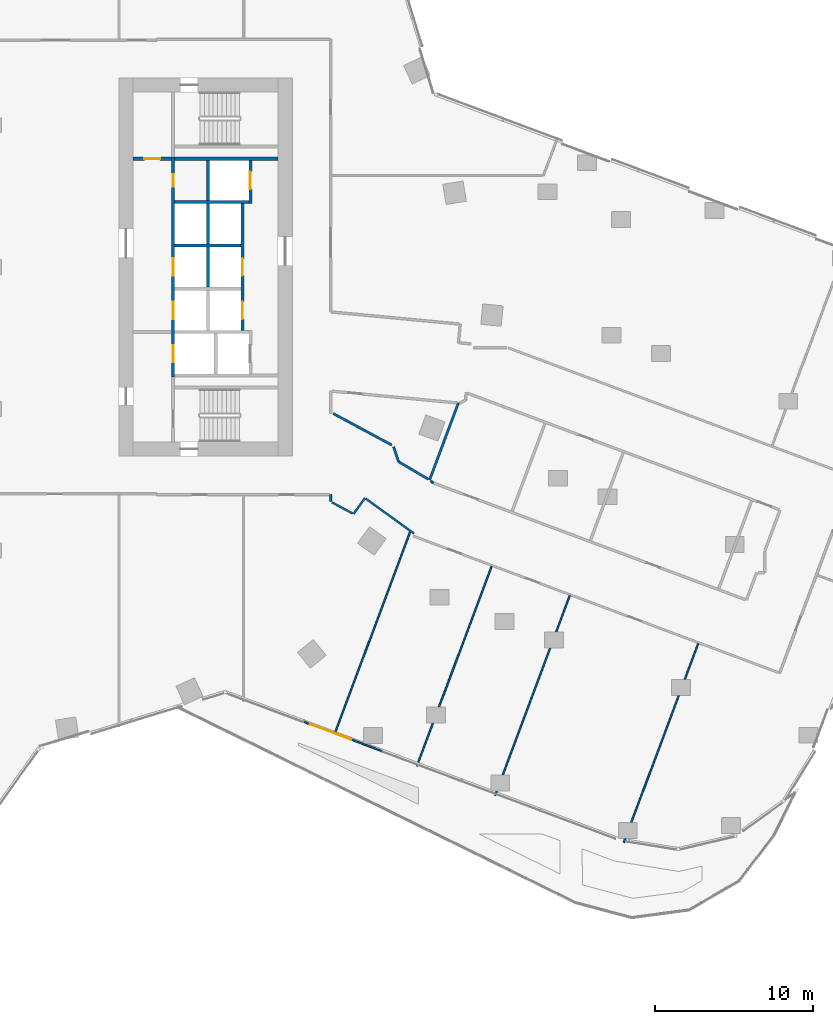
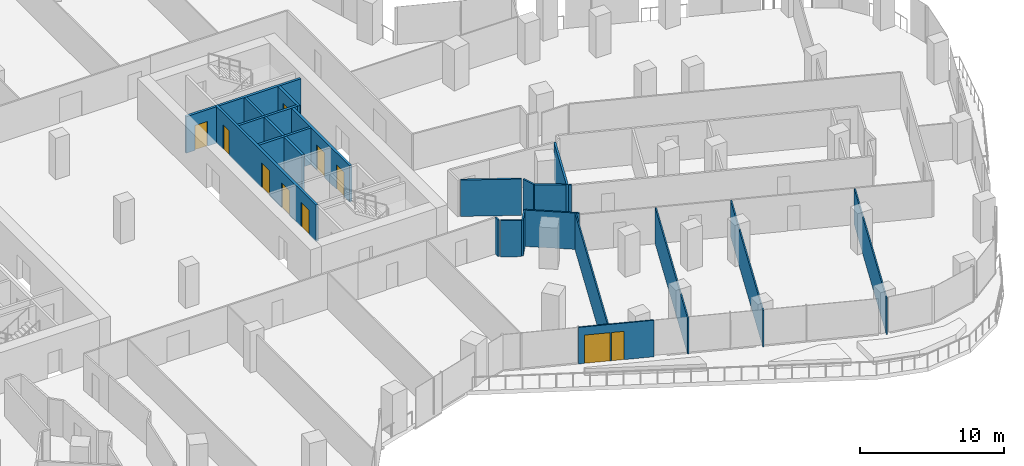
# One storey, part 24 of 30: 24 walls, 9 doors, 1 window, 10 openings.
"""IFC4 building model written with IfcOpenShell, lengths in metres."""

from ifc_helpers import new_model, si_unit, direction, frame, frame_2d, origin, place, context, subcontext, project, spatial, rectangle, extrude, material, layer, layer_set, type_object, element, fill, save


model = new_model("IFC4")

# Units and contexts
model_context = context("Model", 3, precision=1e-05, world=origin(), true_north=direction((0.0, 1.0)))
body_context = subcontext(model_context, "Body", "Model", "MODEL_VIEW")
ifc_project = project(units=[si_unit("LENGTHUNIT", "METRE"), si_unit("AREAUNIT", "SQUARE_METRE"), si_unit("VOLUMEUNIT", "CUBIC_METRE"), si_unit("PLANEANGLEUNIT", "RADIAN"), si_unit("MASSUNIT", "GRAM", prefix="KILO")], contexts=[model_context])

# Site, building, storey
site_placement = place(None, origin())
site = spatial("IfcSite", under=ifc_project, at=site_placement, CompositionType="ELEMENT")
building_placement = place(site_placement, origin())
building = spatial("IfcBuilding", under=site, at=building_placement, Name="Orlundy Tower", CompositionType="ELEMENT")
storey_placement = place(building_placement, frame((0.0, 0.0, 80.699951171875)))
storey = spatial("IfcBuildingStorey", under=building, at=storey_placement, Name="L19", CompositionType="ELEMENT", Elevation=80.699951171875)

# Walls
ifc_material_1 = material(Name="Gypsum board partition")
ifc_layer_1 = layer(ifc_material_1, 0.10009765625)
ifc_layer_set_1 = layer_set([ifc_layer_1], Name="Floor partition 100")
wall_type_1 = type_object("IfcWallType", Name="Floor partition 100", PredefinedType="PARTITIONING", material=ifc_layer_set_1)
wall_1_placement = place(storey_placement, frame((40.0419921875, -36.531982421875, 0.0), z_axis=(0.0, 0.0, 1.0), x_axis=(0.350242156922, 0.936659186425, 0.0)))
element("IfcWall", 1, at=wall_1_placement, inside=storey, type_object=wall_type_1, Name="wall-int-L19-071", PredefinedType="PARTITIONING", context=body_context, shape_type="SweptSolid", body=[
    extrude(rectangle(XDim=13.48193359375, YDim=0.10009765625, at=frame_2d((6.740966796875, 0.0))), origin(), (0.0, 0.0, 1.0), 3.080078125),
])
for number, where, z_axis, x_axis, name in (
    (2, (31.8740234375, -33.535888671875, 0.0), (0.0, 0.0, 1.0), (0.350176475244, 0.936683743953, 0.0), "wall-int-L19-074"),
    (3, (26.909912109375, -31.679931640625, 0.0), (0.0, 0.0, 1.0), (0.350176475244, 0.936683743953, 0.0), "wall-int-L19-076"),
):
    element("IfcWall", number, at=place(storey_placement, frame(where, z_axis=z_axis, x_axis=x_axis)), inside=storey, type_object=wall_type_1, Name=name, PredefinedType="PARTITIONING", context=body_context, shape_type="SweptSolid", body=[
        extrude(rectangle(XDim=13.535888671875, YDim=0.10009765625, at=frame_2d((6.76806640625, 0.0))), origin(), (0.0, 0.0, 1.0), 3.080078125),
    ])
wall_2_placement = place(storey_placement, frame((21.735107421875, -29.510986328125, 0.0), z_axis=(0.0, 0.0, 1.0), x_axis=(0.350202491623, 0.936674017394, 0.0)))
element("IfcWall", 4, at=wall_2_placement, inside=storey, type_object=wall_type_1, Name="wall-int-L19-078", PredefinedType="PARTITIONING", context=body_context, shape_type="SweptSolid", body=[
    extrude(rectangle(XDim=13.54052734375, YDim=0.10009765625, at=frame_2d((6.770263671875, 0.0))), origin(), (0.0, 0.0, 1.0), 3.080078125),
])
ifc_material_2 = material(Name="Gypsum board partition, double layer")
ifc_layer_2 = layer(ifc_material_2, 0.125)
ifc_layer_set_2 = layer_set([ifc_layer_2], Name="Floor partition 125")
wall_type_2 = type_object("IfcWallType", Name="Floor partition 125", PredefinedType="PARTITIONING", material=ifc_layer_set_2)
wall_3_placement = place(storey_placement, frame((27.7939453125, -13.577880859375, 0.0), z_axis=(0.0, 0.0, 1.0), x_axis=(0.778431743949, -0.627729256935, 0.0)))
element("IfcWall", 5, at=wall_3_placement, inside=storey, type_object=wall_type_2, Name="wall-int-L19-006", PredefinedType="PARTITIONING", context=body_context, shape_type="SweptSolid", body=[
    extrude(rectangle(XDim=0.205810546875, YDim=0.125, at=frame_2d((0.10302734375, 0.0))), origin(), (0.0, 0.0, 1.0), 3.080078125),
])
wall_4_placement = place(storey_placement, frame((23.666015625, -14.701904296875, 0.0), z_axis=(0.0, 0.0, 1.0), x_axis=(0.810481264218, -0.585764560512, 0.0)))
element("IfcWall", 6, at=wall_4_placement, inside=storey, type_object=wall_type_2, Name="wall-int-L19-008", PredefinedType="PARTITIONING", context=body_context, shape_type="SweptSolid", body=[
    extrude(rectangle(XDim=3.773193359375, YDim=0.125, at=frame_2d((1.88671875, 0.0))), origin(), (0.0, 0.0, 1.0), 3.080078125),
])
wall_5_placement = place(storey_placement, frame((21.528076171875, -14.93994140625, 0.0), z_axis=(0.0, 0.0, 1.0), x_axis=(0.880465806507, -0.474109653532, 0.0)))
element("IfcWall", 7, at=wall_5_placement, inside=storey, type_object=wall_type_2, Name="wall-int-L19-023", PredefinedType="PARTITIONING", context=body_context, shape_type="SweptSolid", body=[
    extrude(rectangle(XDim=1.48095703125, YDim=0.125, at=frame_2d((0.740478515625, 0.0))), origin(), (0.0, 0.0, 1.0), 3.080078125),
])
wall_6_placement = place(storey_placement, frame((22.887939453125, -15.6708984375, 0.0), z_axis=(0.0, 0.0, 1.0), x_axis=(0.585806524415, 0.810450933711, 0.0)))
element("IfcWall", 8, at=wall_6_placement, inside=storey, type_object=wall_type_2, Name="wall-int-L19-057", PredefinedType="PARTITIONING", context=body_context, shape_type="SweptSolid", body=[
    extrude(rectangle(XDim=1.2412109375, YDim=0.125, at=frame_2d((0.62060546875, 0.0))), origin(), (0.0, 0.0, 1.0), 3.080078125),
])
wall_7_placement = place(storey_placement, frame((21.43994140625, -14.8759765625, 0.0), z_axis=(0.0, 0.0, 1.0), x_axis=(0.0, 1.0, 0.0)))
element("IfcWall", 9, at=wall_7_placement, inside=storey, type_object=wall_type_2, Name="wall-int-L19-091", PredefinedType="PARTITIONING", context=body_context, shape_type="SweptSolid", body=[
    extrude(rectangle(XDim=0.425048828125, YDim=0.125, at=frame_2d((0.21240234375, 0.0))), origin(), (0.0, 0.0, 1.0), 3.080078125),
])
ifc_material_3 = material(Name="Blockwork shaft wall", Category="masonry")
ifc_layer_3 = layer(ifc_material_3, 0.14990234375)
ifc_layer_set_3 = layer_set([ifc_layer_3], Name="Floor shaft wall 150")
wall_type_3 = type_object("IfcWallType", Name="Floor shaft wall 150", PredefinedType="PARTITIONING", material=ifc_layer_set_3)
wall_8_placement = place(storey_placement, frame((27.638916015625, -13.469970703125, 0.0), z_axis=(0.0, 0.0, 1.0), x_axis=(-0.862037468795, 0.506844554468, 0.0)))
element("IfcWall", 10, at=wall_8_placement, inside=storey, type_object=wall_type_3, Name="wall-int-L19-007", PredefinedType="PARTITIONING", context=body_context, shape_type="SweptSolid", body=[
    extrude(rectangle(XDim=2.187744140625, YDim=0.14990234375, at=frame_2d((1.09375, 0.0))), origin(), (0.0, 0.0, 1.0), 3.080078125),
])
wall_9_placement = place(storey_placement, frame((21.596923828125, -9.297119140625, 0.0), z_axis=(0.0, 0.0, 1.0), x_axis=(0.880513830638, -0.474020457422, 0.0)))
element("IfcWall", 11, at=wall_9_placement, inside=storey, type_object=wall_type_3, Name="wall-int-L19-024", PredefinedType="PARTITIONING", context=body_context, shape_type="SweptSolid", body=[
    extrude(rectangle(XDim=4.21923828125, YDim=0.14990234375, at=frame_2d((2.109619140625, 0.0))), origin(), (0.0, 0.0, 1.0), 3.080078125),
])
wall_10_placement = place(storey_placement, frame((25.7529296875, -12.361083984375, 0.0), z_axis=(0.0, 0.0, 1.0), x_axis=(-0.31861820956, 0.94788313443, 0.0)))
element("IfcWall", 12, at=wall_10_placement, inside=storey, type_object=wall_type_3, Name="wall-int-L19-067", PredefinedType="PARTITIONING", context=body_context, shape_type="SweptSolid", body=[
    extrude(rectangle(XDim=1.0107421875, YDim=0.14990234375, at=frame_2d((0.50537109375, 0.0))), origin(), (0.0, 0.0, 1.0), 3.080078125),
])
wall_11_placement = place(storey_placement, frame((27.716064453125, -13.514892578125, 0.0), z_axis=(0.0, 0.0, 1.0), x_axis=(0.350096695155, 0.936713565633, 0.0)))
element("IfcWall", 13, at=wall_11_placement, inside=storey, type_object=wall_type_3, Name="wall-int-L19-079", PredefinedType="PARTITIONING", context=body_context, shape_type="SweptSolid", body=[
    extrude(rectangle(XDim=5.212646484375, YDim=0.14990234375, at=frame_2d((2.6064453125, 0.0))), origin(), (0.0, 0.0, 1.0), 3.080078125),
])

# Wall, openings, window, door
ifc_material_4 = material(Name="Aluminium bronze and tinted glass", Category="aluminium")
ifc_layer_4 = layer(ifc_material_4, 0.10009765625)
ifc_layer_set_4 = layer_set([ifc_layer_4], Name="Glazed door screen")
wall_type_4 = type_object("IfcWallType", Name="Glazed door screen", PredefinedType="STANDARD", material=ifc_layer_set_4)
wall_12_placement = place(storey_placement, frame((24.707763671875, -30.72900390625, 0.0), z_axis=(0.0, 0.0, 1.0), x_axis=(-0.93667095457, 0.35021068354, 0.0)))
wall_12 = element("IfcWall", 14, at=wall_12_placement, inside=storey, type_object=wall_type_4, Name="Glazed door screen", PredefinedType="STANDARD", context=body_context, shape_type="SweptSolid", body=[
    extrude(rectangle(XDim=5.306396484375, YDim=0.10009765625, at=frame_2d((2.6533203125, 0.0))), origin(), (0.0, 0.0, 1.0), 3.10009765625),
])
opening_1_placement = place(wall_12_placement, frame((3.09228515625, 0.0, 0.0)))
opening_1 = element("IfcOpeningElement", 15, at=opening_1_placement, cuts=wall_12, Name="Opening 16942", PredefinedType="OPENING", context=body_context, shape_type="SweptSolid", body=[
    extrude(rectangle(XDim=1.800048828125, YDim=2.39990234375, at=frame_2d((0.89990234375, 1.199951171875))), frame((0.0, 0.06005859375, 0.0), z_axis=(0.0, -1.0, 0.0), x_axis=(1.0, 0.0, 0.0)), (0.0, 0.0, 1.0), 0.1201171875),
])
opening_2_placement = place(wall_12_placement, frame((2.09228515625, 0.0, 0.0)))
opening_2 = element("IfcOpeningElement", 16, at=opening_2_placement, cuts=wall_12, Name="Opening W02", PredefinedType="OPENING", context=body_context, shape_type="SweptSolid", body=[
    extrude(rectangle(XDim=0.89990234375, YDim=2.39990234375, at=frame_2d((0.449951171875, 1.199951171875))), frame((0.0, 0.06005859375, 0.0), z_axis=(0.0, -1.0, 0.0), x_axis=(1.0, 0.0, 0.0)), (0.0, 0.0, 1.0), 0.1201171875),
])
ifc_material_5 = material(Name="Tinted glass in bronze aluminium frame", Category="aluminium")
window_type = type_object("IfcWindowType", Name="SL2 sidelight 900x2400", PartitioningType="SINGLE_PANEL", PredefinedType="WINDOW", material=ifc_material_5)
window_placement = place(opening_2_placement, origin())
window = element("IfcWindow", 17, at=window_placement, inside=storey, type_object=window_type, Name="Window W02 L19", OverallHeight=2.39990234375, OverallWidth=0.89990234375, PartitioningType="SINGLE_PANEL", PredefinedType="WINDOW", context=body_context, shape_type="SweptSolid", body=[
    extrude(rectangle(XDim=0.89990234375, YDim=2.39990234375, at=frame_2d((0.449951171875, 1.199951171875))), frame((0.0, 0.030029296875, 0.0), z_axis=(0.0, -1.0, 0.0), x_axis=(1.0, 0.0, 0.0)), (0.0, 0.0, 1.0), 0.06005859375),
])
fill(opening_2, window)
ifc_material_6 = material(Name="Aluminium bronze and tinted glass", Category="aluminium")
door_type_1 = type_object("IfcDoorType", Name="TD1 terrace door 1800x2400", OperationType="NOTDEFINED", PredefinedType="DOOR", material=ifc_material_6)
door_1_placement = place(opening_1_placement, origin())
door_1 = element("IfcDoor", 18, at=door_1_placement, inside=storey, type_object=door_type_1, Name="Door 16942", OperationType="DOUBLE_DOOR_SINGLE_SWING", OverallHeight=2.39990234375, OverallWidth=1.800048828125, PredefinedType="DOOR", context=body_context, shape_type="SweptSolid", body=[
    extrude(rectangle(XDim=1.800048828125, YDim=2.39990234375, at=frame_2d((0.89990234375, 1.199951171875))), frame((0.0, 0.02490234375, 0.0), z_axis=(0.0, -1.0, 0.0), x_axis=(1.0, 0.0, 0.0)), (0.0, 0.0, 1.0), 0.050048828125),
])
fill(opening_1, door_1)

# Wall, opening, door
ifc_material_7 = material(Name="Gypsum board partition on steel studs", Category="steel")
ifc_layer_5 = layer(ifc_material_7, 0.199951171875)
ifc_layer_set_5 = layer_set([ifc_layer_5], Name="Partition 200")
wall_type_5 = type_object("IfcWallType", Name="Partition 200", PredefinedType="PARTITIONING", material=ifc_layer_set_5)
wall_13_placement = place(storey_placement, frame((8.89990234375, 6.875, 0.0), z_axis=(0.0, 0.0, 1.0), x_axis=(1.0, 0.0, 0.0)))
wall_13 = element("IfcWall", 19, at=wall_13_placement, inside=storey, type_object=wall_type_5, Name="Partition wall E16-end-s", PredefinedType="PARTITIONING", context=body_context, shape_type="SweptSolid", body=[
    extrude(rectangle(XDim=2.440185546875, YDim=0.199951171875, at=frame_2d((1.22021484375, 0.0))), origin(), (0.0, 0.0, 1.0), 3.090087890625),
])
opening_3_placement = place(wall_13_placement, frame((0.719970703125, 0.0, 0.0)))
opening_3 = element("IfcOpeningElement", 20, at=opening_3_placement, cuts=wall_13, Name="Opening 16064", PredefinedType="OPENING", context=body_context, shape_type="SweptSolid", body=[
    extrude(rectangle(XDim=1.0, YDim=2.10009765625, at=frame_2d((0.5, 1.050048828125))), frame((0.0, 0.110107421875, 0.0), z_axis=(0.0, -1.0, 0.0), x_axis=(1.0, 0.0, 0.0)), (0.0, 0.0, 1.0), 0.22021484375),
])
ifc_material_8 = material(Name="Timber door set", Category="wood")
door_type_2 = type_object("IfcDoorType", Name="Accessible Door 1000x2100", OperationType="SINGLE_SWING_LEFT", PredefinedType="DOOR", material=ifc_material_8)
door_2_placement = place(opening_3_placement, origin())
door_2 = element("IfcDoor", 21, at=door_2_placement, inside=storey, type_object=door_type_2, Name="Accessible WC door 16064", OperationType="SINGLE_SWING_RIGHT", OverallHeight=2.10009765625, OverallWidth=1.0, PredefinedType="DOOR", context=body_context, shape_type="SweptSolid", body=[
    extrude(rectangle(XDim=1.0, YDim=2.10009765625, at=frame_2d((0.5, 1.050048828125))), frame((0.0, 0.02490234375, 0.0), z_axis=(0.0, -1.0, 0.0), x_axis=(1.0, 0.0, 0.0)), (0.0, 0.0, 1.0), 0.050048828125),
])
fill(opening_3, door_2)

# Walls
ifc_material_9 = material(Name="Fire-rated blockwork shaft wall", Category="masonry")
ifc_layer_6 = layer(ifc_material_9, 0.199951171875)
ifc_layer_set_6 = layer_set([ifc_layer_6], Name="Shaft Wall 200")
wall_type_6 = type_object("IfcWallType", Name="Shaft Wall 200", PredefinedType="SOLIDWALL", material=ifc_layer_set_6)
wall_14_placement = place(storey_placement, frame((11.5400390625, 6.875, 0.0), z_axis=(0.0, 0.0, 1.0), x_axis=(1.0, 0.0, 0.0)))
element("IfcWall", 22, at=wall_14_placement, inside=storey, type_object=wall_type_6, Name="Shaft wall E16-zone-s", PredefinedType="SOLIDWALL", context=body_context, shape_type="SweptSolid", body=[
    extrude(rectangle(XDim=6.56005859375, YDim=0.199951171875, at=frame_2d((3.280029296875, 0.0))), origin(), (0.0, 0.0, 1.0), 3.090087890625),
])
wall_15_placement = place(storey_placement, frame((11.5400390625, 4.125, 0.0), z_axis=(0.0, 0.0, 1.0), x_axis=(1.0, 0.0, 0.0)))
element("IfcWall", 23, at=wall_15_placement, inside=storey, type_object=wall_type_6, Name="Shaft wall E16-cross-4.125", PredefinedType="SOLIDWALL", context=body_context, shape_type="SweptSolid", body=[
    extrude(rectangle(XDim=4.699951171875, YDim=0.199951171875, at=frame_2d((2.35009765625, 0.0))), origin(), (0.0, 0.0, 1.0), 3.090087890625),
])
wall_16_placement = place(storey_placement, frame((11.5400390625, 1.375, 0.0), z_axis=(0.0, 0.0, 1.0), x_axis=(1.0, 0.0, 0.0)))
element("IfcWall", 24, at=wall_16_placement, inside=storey, type_object=wall_type_6, Name="Shaft wall E16-cross-1.375", PredefinedType="SOLIDWALL", context=body_context, shape_type="SweptSolid", body=[
    extrude(rectangle(XDim=4.199951171875, YDim=0.199951171875, at=frame_2d((2.10009765625, 0.0))), origin(), (0.0, 0.0, 1.0), 3.090087890625),
])

# Wall, openings, doors
wall_17_placement = place(storey_placement, frame((11.43994140625, 6.97509765625, 0.0), z_axis=(0.0, 0.0, 1.0), x_axis=(0.0, -1.0, 0.0)))
wall_17 = element("IfcWall", 25, at=wall_17_placement, inside=storey, type_object=wall_type_6, Name="Shaft wall E16-front-h", PredefinedType="SOLIDWALL", context=body_context, shape_type="SweptSolid", body=[
    extrude(rectangle(XDim=13.9501953125, YDim=0.199951171875, at=frame_2d((6.97509765625, 0.0))), origin(), (0.0, 0.0, 1.0), 3.090087890625),
])
opening_4_placement = place(wall_17_placement, frame((6.425048828125, 0.0, 0.0)))
opening_4 = element("IfcOpeningElement", 26, at=opening_4_placement, cuts=wall_17, Name="Opening 16051", PredefinedType="OPENING", context=body_context, shape_type="SweptSolid", body=[
    extrude(rectangle(XDim=1.10009765625, YDim=2.10009765625, at=frame_2d((0.550048828125, 1.050048828125))), frame((0.0, 0.110107421875, 0.0), z_axis=(0.0, -1.0, 0.0), x_axis=(1.0, 0.0, 0.0)), (0.0, 0.0, 1.0), 0.22021484375),
])
opening_5_placement = place(wall_17_placement, frame((9.175048828125, 0.0, 0.0)))
opening_5 = element("IfcOpeningElement", 27, at=opening_5_placement, cuts=wall_17, Name="Opening 16053", PredefinedType="OPENING", context=body_context, shape_type="SweptSolid", body=[
    extrude(rectangle(XDim=1.10009765625, YDim=2.10009765625, at=frame_2d((0.550048828125, 1.050048828125))), frame((0.0, 0.110107421875, 0.0), z_axis=(0.0, -1.0, 0.0), x_axis=(1.0, 0.0, 0.0)), (0.0, 0.0, 1.0), 0.22021484375),
])
opening_6_placement = place(wall_17_placement, frame((11.925048828125, 0.0, 0.0)))
opening_6 = element("IfcOpeningElement", 28, at=opening_6_placement, cuts=wall_17, Name="Opening 16055", PredefinedType="OPENING", context=body_context, shape_type="SweptSolid", body=[
    extrude(rectangle(XDim=1.10009765625, YDim=2.10009765625, at=frame_2d((0.550048828125, 1.050048828125))), frame((0.0, 0.110107421875, 0.0), z_axis=(0.0, -1.0, 0.0), x_axis=(1.0, 0.0, 0.0)), (0.0, 0.0, 1.0), 0.22021484375),
])
opening_7_placement = place(wall_17_placement, frame((1.074951171875, 0.0, 0.0)))
opening_7 = element("IfcOpeningElement", 29, at=opening_7_placement, cuts=wall_17, Name="Opening 16057", PredefinedType="OPENING", context=body_context, shape_type="SweptSolid", body=[
    extrude(rectangle(XDim=0.800048828125, YDim=2.10009765625, at=frame_2d((0.39990234375, 1.050048828125))), frame((0.0, 0.110107421875, 0.0), z_axis=(0.0, -1.0, 0.0), x_axis=(1.0, 0.0, 0.0)), (0.0, 0.0, 1.0), 0.22021484375),
])
ifc_material_10 = material(Name="Steel door set", Category="steel")
door_type_3 = type_object("IfcDoorType", Name="Landing Door 1100x2100", OperationType="DOUBLE_DOOR_SLIDING", PredefinedType="DOOR", material=ifc_material_10)
door_3_placement = place(opening_4_placement, origin())
door_3 = element("IfcDoor", 30, at=door_3_placement, inside=storey, type_object=door_type_3, Name="Lift landing door LP-10 16051", OperationType="DOUBLE_DOOR_SLIDING", OverallHeight=2.10009765625, OverallWidth=1.10009765625, PredefinedType="DOOR", context=body_context, shape_type="SweptSolid", body=[
    extrude(rectangle(XDim=1.10009765625, YDim=2.10009765625, at=frame_2d((0.550048828125, 1.050048828125))), frame((0.0, 0.02490234375, 0.0), z_axis=(0.0, -1.0, 0.0), x_axis=(1.0, 0.0, 0.0)), (0.0, 0.0, 1.0), 0.050048828125),
])
fill(opening_4, door_3)
door_4_placement = place(opening_5_placement, origin())
door_4 = element("IfcDoor", 31, at=door_4_placement, inside=storey, type_object=door_type_3, Name="Lift landing door LP-07 16053", OperationType="DOUBLE_DOOR_SLIDING", OverallHeight=2.10009765625, OverallWidth=1.10009765625, PredefinedType="DOOR", context=body_context, shape_type="SweptSolid", body=[
    extrude(rectangle(XDim=1.10009765625, YDim=2.10009765625, at=frame_2d((0.550048828125, 1.050048828125))), frame((0.0, 0.02490234375, 0.0), z_axis=(0.0, -1.0, 0.0), x_axis=(1.0, 0.0, 0.0)), (0.0, 0.0, 1.0), 0.050048828125),
])
fill(opening_5, door_4)
door_5_placement = place(opening_6_placement, origin())
door_5 = element("IfcDoor", 32, at=door_5_placement, inside=storey, type_object=door_type_3, Name="Lift landing door FL2 16055", OperationType="DOUBLE_DOOR_SLIDING", OverallHeight=2.10009765625, OverallWidth=1.10009765625, PredefinedType="DOOR", context=body_context, shape_type="SweptSolid", body=[
    extrude(rectangle(XDim=1.10009765625, YDim=2.10009765625, at=frame_2d((0.550048828125, 1.050048828125))), frame((0.0, 0.02490234375, 0.0), z_axis=(0.0, -1.0, 0.0), x_axis=(1.0, 0.0, 0.0)), (0.0, 0.0, 1.0), 0.050048828125),
])
fill(opening_6, door_5)
ifc_material_11 = material(Name="Timber door set", Category="wood")
door_type_4 = type_object("IfcDoorType", Name="Riser Door 800x2100", OperationType="SINGLE_SWING_LEFT", PredefinedType="DOOR", material=ifc_material_11)
door_6_placement = place(opening_7_placement, origin())
door_6 = element("IfcDoor", 33, at=door_6_placement, inside=storey, type_object=door_type_4, Name="Pantry Store door 16057", OperationType="SINGLE_SWING_LEFT", OverallHeight=2.10009765625, OverallWidth=0.800048828125, PredefinedType="DOOR", context=body_context, shape_type="SweptSolid", body=[
    extrude(rectangle(XDim=0.800048828125, YDim=2.10009765625, at=frame_2d((0.39990234375, 1.050048828125))), frame((0.0, 0.02490234375, 0.0), z_axis=(0.0, -1.0, 0.0), x_axis=(1.0, 0.0, 0.0)), (0.0, 0.0, 1.0), 0.050048828125),
])
fill(opening_7, door_6)

# Walls
for number, where, z_axis, x_axis, name in (
    (34, (13.639892578125, 6.77490234375, 0.0), (0.0, 0.0, 1.0), (0.0, -1.0, 0.0), "Shaft wall E16-mid-a"),
    (35, (13.639892578125, 4.02490234375, 0.0), (0.0, 0.0, 1.0), (0.0, -1.0, 0.0), "Shaft wall E16-mid-a.1"),
    (36, (13.639892578125, 1.27490234375, 0.0), (0.0, 0.0, 1.0), (0.0, -1.0, 0.0), "Shaft wall E16-mid-a.2"),
):
    element("IfcWall", number, at=place(storey_placement, frame(where, z_axis=z_axis, x_axis=x_axis)), inside=storey, type_object=wall_type_6, Name=name, PredefinedType="SOLIDWALL", context=body_context, shape_type="SweptSolid", body=[
        extrude(rectangle(XDim=2.5498046875, YDim=0.199951171875, at=frame_2d((1.27490234375, 0.0))), origin(), (0.0, 0.0, 1.0), 3.090087890625),
    ])

# Wall, opening, door
wall_18_placement = place(storey_placement, frame((16.340087890625, 6.77490234375, 0.0), z_axis=(0.0, 0.0, 1.0), x_axis=(0.0, -1.0, 0.0)))
wall_18 = element("IfcWall", 37, at=wall_18_placement, inside=storey, type_object=wall_type_6, Name="Shaft wall E16-front-o-a", PredefinedType="SOLIDWALL", context=body_context, shape_type="SweptSolid", body=[
    extrude(rectangle(XDim=2.75, YDim=0.199951171875, at=frame_2d((1.375, 0.0))), origin(), (0.0, 0.0, 1.0), 3.090087890625),
])
opening_8_placement = place(wall_18_placement, frame((0.72509765625, 0.0, 0.0)))
opening_8 = element("IfcOpeningElement", 38, at=opening_8_placement, cuts=wall_18, Name="Opening 16050", PredefinedType="OPENING", context=body_context, shape_type="SweptSolid", body=[
    extrude(rectangle(XDim=1.10009765625, YDim=2.10009765625, at=frame_2d((0.550048828125, 1.050048828125))), frame((0.0, 0.110107421875, 0.0), z_axis=(0.0, -1.0, 0.0), x_axis=(1.0, 0.0, 0.0)), (0.0, 0.0, 1.0), 0.22021484375),
])
door_7_placement = place(opening_8_placement, origin())
door_7 = element("IfcDoor", 39, at=door_7_placement, inside=storey, type_object=door_type_3, Name="Lift landing door LV-02 16050", OperationType="DOUBLE_DOOR_SLIDING", OverallHeight=2.10009765625, OverallWidth=1.10009765625, PredefinedType="DOOR", context=body_context, shape_type="SweptSolid", body=[
    extrude(rectangle(XDim=1.10009765625, YDim=2.10009765625, at=frame_2d((0.550048828125, 1.050048828125))), frame((0.0, 0.02490234375, 0.0), z_axis=(0.0, -1.0, 0.0), x_axis=(1.0, 0.0, 0.0)), (0.0, 0.0, 1.0), 0.050048828125),
])
fill(opening_8, door_7)

# Wall, openings, doors
wall_19_placement = place(storey_placement, frame((15.840087890625, 4.02490234375, 0.0), z_axis=(0.0, 0.0, 1.0), x_axis=(0.0, -1.0, 0.0)))
wall_19 = element("IfcWall", 40, at=wall_19_placement, inside=storey, type_object=wall_type_6, Name="Shaft wall E16-front-o-b", PredefinedType="SOLIDWALL", context=body_context, shape_type="SweptSolid", body=[
    extrude(rectangle(XDim=8.0498046875, YDim=0.199951171875, at=frame_2d((4.02490234375, 0.0))), origin(), (0.0, 0.0, 1.0), 3.090087890625),
])
opening_9_placement = place(wall_19_placement, frame((3.47509765625, 0.0, 0.0)))
opening_9 = element("IfcOpeningElement", 41, at=opening_9_placement, cuts=wall_19, Name="Opening 16052", PredefinedType="OPENING", context=body_context, shape_type="SweptSolid", body=[
    extrude(rectangle(XDim=1.10009765625, YDim=2.10009765625, at=frame_2d((0.550048828125, 1.050048828125))), frame((0.0, 0.110107421875, 0.0), z_axis=(0.0, -1.0, 0.0), x_axis=(1.0, 0.0, 0.0)), (0.0, 0.0, 1.0), 0.22021484375),
])
opening_10_placement = place(wall_19_placement, frame((6.22509765625, 0.0, 0.0)))
opening_10 = element("IfcOpeningElement", 42, at=opening_10_placement, cuts=wall_19, Name="Opening 16054", PredefinedType="OPENING", context=body_context, shape_type="SweptSolid", body=[
    extrude(rectangle(XDim=1.10009765625, YDim=2.10009765625, at=frame_2d((0.550048828125, 1.050048828125))), frame((0.0, 0.110107421875, 0.0), z_axis=(0.0, -1.0, 0.0), x_axis=(1.0, 0.0, 0.0)), (0.0, 0.0, 1.0), 0.22021484375),
])
door_8_placement = place(opening_9_placement, origin())
door_8 = element("IfcDoor", 43, at=door_8_placement, inside=storey, type_object=door_type_3, Name="Lift landing door LP-06 16052", OperationType="DOUBLE_DOOR_SLIDING", OverallHeight=2.10009765625, OverallWidth=1.10009765625, PredefinedType="DOOR", context=body_context, shape_type="SweptSolid", body=[
    extrude(rectangle(XDim=1.10009765625, YDim=2.10009765625, at=frame_2d((0.550048828125, 1.050048828125))), frame((0.0, 0.02490234375, 0.0), z_axis=(0.0, -1.0, 0.0), x_axis=(1.0, 0.0, 0.0)), (0.0, 0.0, 1.0), 0.050048828125),
])
fill(opening_9, door_8)
door_9_placement = place(opening_10_placement, origin())
door_9 = element("IfcDoor", 44, at=door_9_placement, inside=storey, type_object=door_type_3, Name="Lift landing door LP-08 16054", OperationType="DOUBLE_DOOR_SLIDING", OverallHeight=2.10009765625, OverallWidth=1.10009765625, PredefinedType="DOOR", context=body_context, shape_type="SweptSolid", body=[
    extrude(rectangle(XDim=1.10009765625, YDim=2.10009765625, at=frame_2d((0.550048828125, 1.050048828125))), frame((0.0, 0.02490234375, 0.0), z_axis=(0.0, -1.0, 0.0), x_axis=(1.0, 0.0, 0.0)), (0.0, 0.0, 1.0), 0.050048828125),
])
fill(opening_10, door_9)

save(model, "model.ifc")
